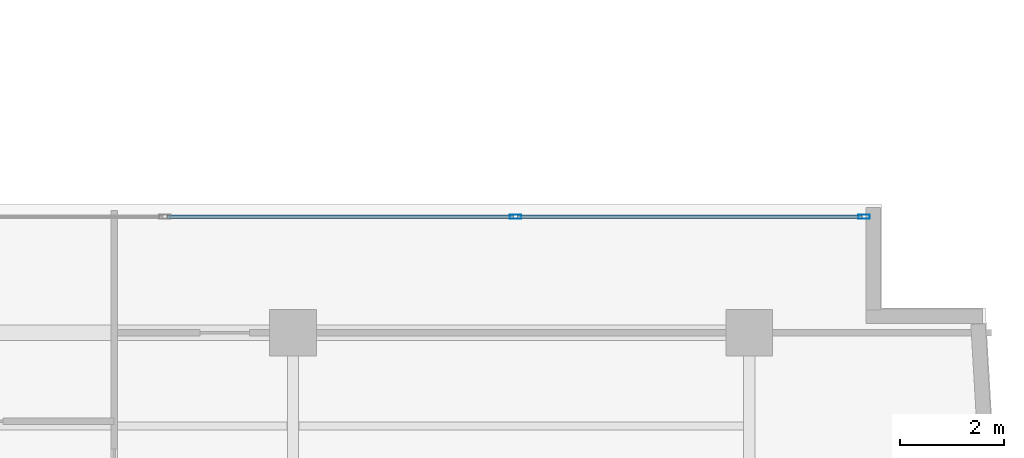
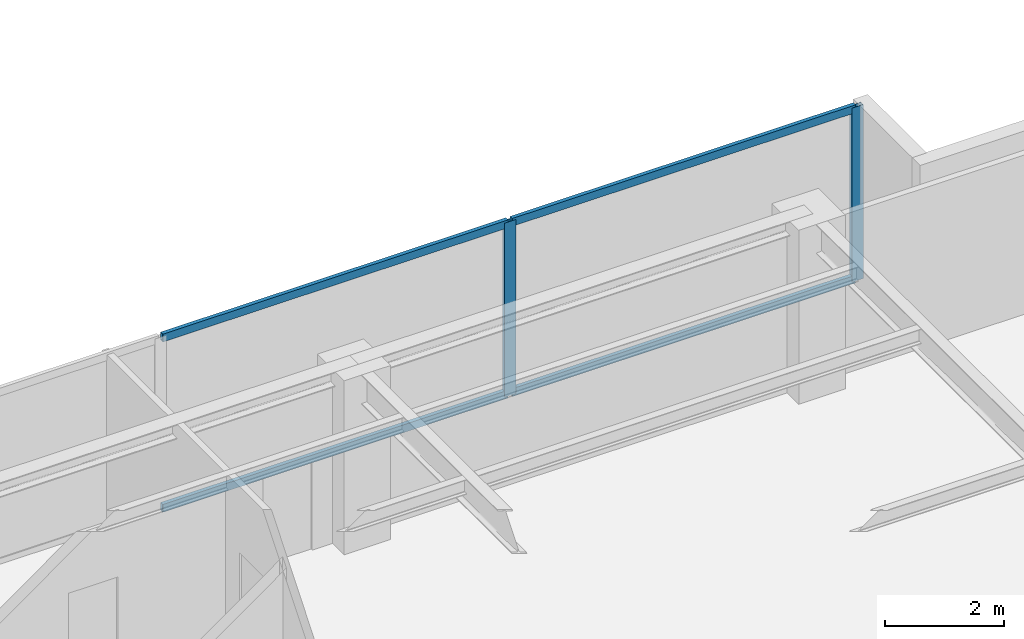
# One storey, part 12 of 22: 6 members, 1 element without a shape of its own.
"""IFC4 building model written with IfcOpenShell, lengths in metres."""

from ifc_helpers import new_model, si_unit, direction, frame, origin, origin_with_axes, origin_2d, place, context, subcontext, project, spatial, hollow_rectangle, extrude, source, transform, mapped, material, layer, layer_set, material_profile, profile_set, type_object, element, aggregate, save


model = new_model("IFC4")

# Units and contexts
model_context = context("Model", 3, precision=1e-05, world=origin(), true_north=direction((0.0, 1.0)))
body_context = subcontext(model_context, "Body", "Model", "MODEL_VIEW")
ifc_project = project(units=[si_unit("LENGTHUNIT", "METRE"), si_unit("AREAUNIT", "SQUARE_METRE"), si_unit("VOLUMEUNIT", "CUBIC_METRE"), si_unit("PLANEANGLEUNIT", "RADIAN"), si_unit("MASSUNIT", "GRAM", prefix="KILO")], contexts=[model_context])

# Site, building, storey
site_placement = place(None, origin())
site = spatial("IfcSite", under=ifc_project, at=site_placement, CompositionType="ELEMENT")
building_placement = place(site_placement, origin())
building = spatial("IfcBuilding", under=site, at=building_placement, Name="Kolvaren Waterfront Exchange", CompositionType="ELEMENT")
storey_placement = place(building_placement, frame((0.0, 0.0, 308.39990234375)))
storey = spatial("IfcBuildingStorey", under=building, at=storey_placement, Name="L79", CompositionType="ELEMENT", Elevation=308.39990234375)

# Curtain wall, members
ifc_material_1 = material(Name="Anodised bronze aluminium 6063-T6", Category="aluminium")
ifc_layer = layer(ifc_material_1, 0.219970703125, Name="Anodised bronze aluminium 6063-T6")
ifc_layer_set = layer_set([ifc_layer], Name="Anodised bronze aluminium 6063-T6")
curtain_wall_type = type_object("IfcCurtainWallType", Name="ARC-CW-SYS1", PredefinedType="USERDEFINED", material=ifc_layer_set)
curtain_wall_placement = place(storey_placement, origin())
curtain_wall = element("IfcCurtainWall", 1, at=curtain_wall_placement, inside=storey, type_object=curtain_wall_type, Name="L79 stick curtain wall CW1 (CW-L79-EN)", ObjectType="STICK CURTAIN WALL", PredefinedType="USERDEFINED")
ifc_material_2 = material(Name="Anodised aluminium 6063-T6", Category="aluminium")
ifc_material_profile_1 = material_profile(ifc_material_2, hollow_rectangle(XDim=0.080078125, YDim=0.219970703125, WallThickness=0.0048828125, at=origin_2d()), Name="ALU-MUL-220x80x5")
ifc_profile_set_1 = profile_set([ifc_material_profile_1], Name="Anodised aluminium 6063-T6")
member_type_1 = type_object("IfcMemberType", Name="ARC-CWM-220", PredefinedType="MULLION", material=ifc_profile_set_1)
shared_shape_1 = source(origin_with_axes(), body_context, "Body", "SweptSolid", [
    extrude(hollow_rectangle(XDim=0.080078125, YDim=0.219970703125, WallThickness=0.0048828125, at=origin_2d()), origin(), (0.0, 0.0, 1.0), 3.56005859375),
])
member_1_placement = place(storey_placement, frame((41.09326171875, 19.6337890625, 0.0), z_axis=(0.0, 0.0, 1.0), x_axis=(0.0, 1.0, 0.0)))
member_1 = element("IfcMember", 2, at=member_1_placement, type_object=member_type_1, Name="CW1 mullion 3", PredefinedType="MULLION", context=body_context, shape_type="MappedRepresentation", body=[
    mapped(shared_shape_1, transform((0.0, 0.0, 0.0), x_axis=(1.0, 0.0, 0.0), y_axis=(0.0, 1.0, 0.0), z_axis=(0.0, 0.0, 1.0), scale=1.0)),
])
member_2_placement = place(storey_placement, frame((47.81787109375, 19.6337890625, 0.0), z_axis=(0.0, 0.0, 1.0), x_axis=(0.0, 1.0, 0.0)))
member_2 = element("IfcMember", 3, at=member_2_placement, type_object=member_type_1, Name="CW1 mullion 4", PredefinedType="MULLION", context=body_context, shape_type="MappedRepresentation", body=[
    mapped(shared_shape_1, transform((0.0, 0.0, 0.0), x_axis=(1.0, 0.0, 0.0), y_axis=(0.0, 1.0, 0.0), z_axis=(0.0, 0.0, 1.0), scale=1.0)),
])
ifc_material_profile_2 = material_profile(ifc_material_2, hollow_rectangle(XDim=0.074951171875, YDim=0.159912109375, WallThickness=0.00439453125, at=origin_2d()), Name="ALU-TRN-160x75x4.5")
ifc_profile_set_2 = profile_set([ifc_material_profile_2], Name="Anodised aluminium 6063-T6")
member_type_2 = type_object("IfcMemberType", Name="ARC-CWT-160", PredefinedType="USERDEFINED", material=ifc_profile_set_2)
shared_shape_2 = source(origin_with_axes(), body_context, "Body", "SweptSolid", [
    extrude(hollow_rectangle(XDim=0.074951171875, YDim=0.159912109375, WallThickness=0.00439453125, at=origin_2d()), origin(), (0.0, 0.0, 1.0), 6.684814453125),
])
member_3_placement = place(storey_placement, frame((34.368408203125, 19.6337890625, 0.03759765625), z_axis=(1.0, 0.0, 0.0), x_axis=(0.0, 1.0, 0.0)))
member_3 = element("IfcMember", 4, at=member_3_placement, type_object=member_type_2, Name="CW1 transom 2.1", ObjectType="TRANSOM", PredefinedType="USERDEFINED", context=body_context, shape_type="MappedRepresentation", body=[
    mapped(shared_shape_2, transform((0.0, 0.0, 0.0), x_axis=(1.0, 0.0, 0.0), y_axis=(0.0, 1.0, 0.0), z_axis=(0.0, 0.0, 1.0), scale=1.0)),
])
member_4_placement = place(storey_placement, frame((34.368408203125, 19.6337890625, 3.522705078125), z_axis=(1.0, 0.0, 0.0), x_axis=(0.0, 1.0, 0.0)))
member_4 = element("IfcMember", 5, at=member_4_placement, type_object=member_type_2, Name="CW1 transom 2.2", ObjectType="TRANSOM", PredefinedType="USERDEFINED", context=body_context, shape_type="MappedRepresentation", body=[
    mapped(shared_shape_2, transform((0.0, 0.0, 0.0), x_axis=(1.0, 0.0, 0.0), y_axis=(0.0, 1.0, 0.0), z_axis=(0.0, 0.0, 1.0), scale=1.0)),
])
shared_shape_3 = source(origin_with_axes(), body_context, "Body", "SweptSolid", [
    extrude(hollow_rectangle(XDim=0.074951171875, YDim=0.159912109375, WallThickness=0.00439453125, at=origin_2d()), origin(), (0.0, 0.0, 1.0), 6.644775390625),
])
member_5_placement = place(storey_placement, frame((41.133056640625, 19.6337890625, 0.03759765625), z_axis=(1.0, 0.0, 0.0), x_axis=(0.0, 1.0, 0.0)))
member_5 = element("IfcMember", 6, at=member_5_placement, type_object=member_type_2, Name="CW1 transom 3.1", ObjectType="TRANSOM", PredefinedType="USERDEFINED", context=body_context, shape_type="MappedRepresentation", body=[
    mapped(shared_shape_3, transform((0.0, 0.0, 0.0), x_axis=(1.0, 0.0, 0.0), y_axis=(0.0, 1.0, 0.0), z_axis=(0.0, 0.0, 1.0), scale=1.0)),
])
member_6_placement = place(storey_placement, frame((41.133056640625, 19.6337890625, 3.522705078125), z_axis=(1.0, 0.0, 0.0), x_axis=(0.0, 1.0, 0.0)))
member_6 = element("IfcMember", 7, at=member_6_placement, type_object=member_type_2, Name="CW1 transom 3.2", ObjectType="TRANSOM", PredefinedType="USERDEFINED", context=body_context, shape_type="MappedRepresentation", body=[
    mapped(shared_shape_3, transform((0.0, 0.0, 0.0), x_axis=(1.0, 0.0, 0.0), y_axis=(0.0, 1.0, 0.0), z_axis=(0.0, 0.0, 1.0), scale=1.0)),
])
aggregate(curtain_wall, [member_1, member_2, member_3, member_4, member_5, member_6])

save(model, "model.ifc")
